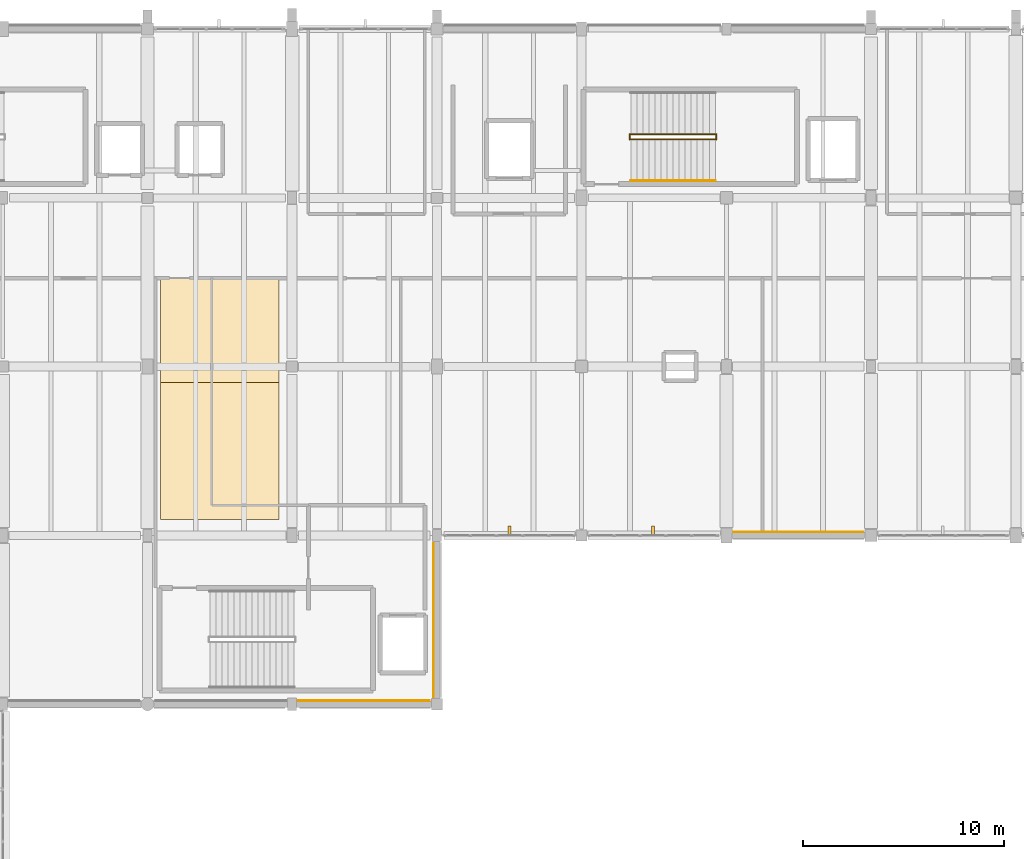
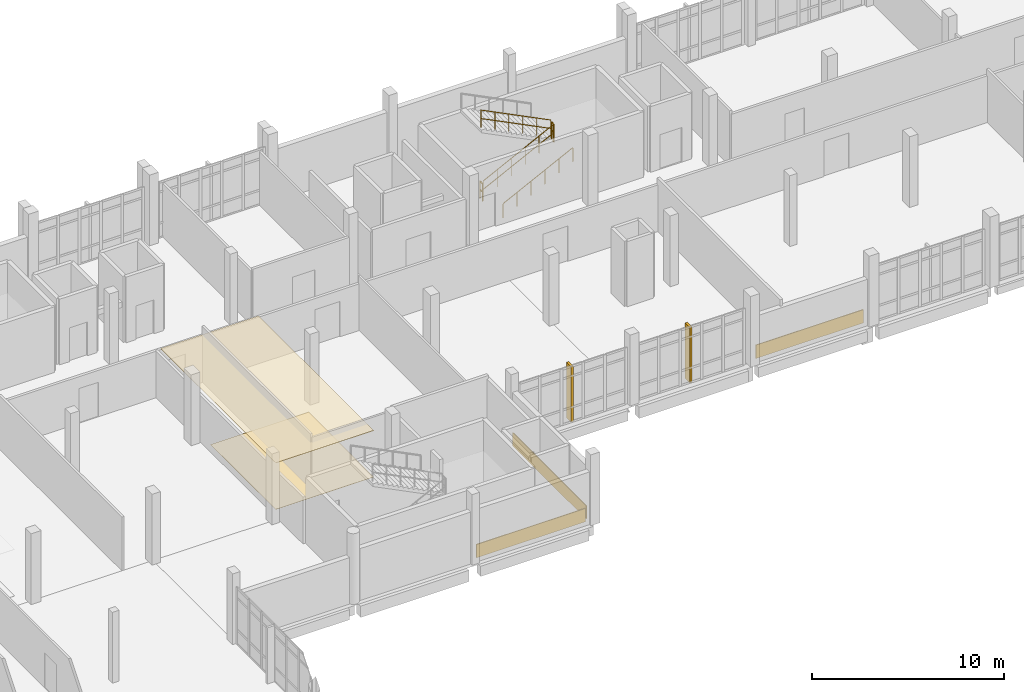
# One storey, part 60 of 62: 5 coverings, 5 railings, 2 shading devices.
"""IFC4 building model written with IfcOpenShell, lengths in metres."""

from ifc_helpers import new_model, si_unit, direction, frame, origin, origin_2d, place, context, subcontext, project, spatial, polyline, rectangle, circle, outline, extrude, material, layer, layer_set, type_object, element, save


model = new_model("IFC4")

# Units and contexts
model_context = context("Model", 3, precision=1e-05, world=origin(), true_north=direction((0.0, 1.0)))
body_context = subcontext(model_context, "Body", "Model", "MODEL_VIEW")
ifc_project = project(units=[si_unit("LENGTHUNIT", "METRE"), si_unit("AREAUNIT", "SQUARE_METRE"), si_unit("VOLUMEUNIT", "CUBIC_METRE"), si_unit("PLANEANGLEUNIT", "RADIAN"), si_unit("MASSUNIT", "GRAM", prefix="KILO")], contexts=[model_context])

# Site, building, storey
site_placement = place(None, origin())
site = spatial("IfcSite", under=ifc_project, at=site_placement, CompositionType="ELEMENT")
building_placement = place(site_placement, origin())
building = spatial("IfcBuilding", under=site, at=building_placement, Name="Kalluvel Institute of Natural Sciences", CompositionType="ELEMENT")
storey_placement = place(building_placement, frame((0.0, 0.0, 27.89990234375)))
storey = spatial("IfcBuildingStorey", under=building, at=storey_placement, Name="L06", CompositionType="ELEMENT", Elevation=27.89990234375)

# Coverings
ifc_material_1 = material(Name="Perforated Mineral-Fibre Acoustic Tile", Category="gypsum")
ifc_layer_1 = layer(ifc_material_1, 0.02490234375)
ifc_layer_set_1 = layer_set([ifc_layer_1], Name="Perforated Mineral-Fibre Acoustic Tile")
covering_type_1 = type_object("IfcCoveringType", Name="COV-CEIL-600", PredefinedType="CEILING", material=ifc_layer_set_1)
covering_1_placement = place(storey_placement, frame((0.0, 0.0, 2.9501953125)))
element("IfcCovering", 1, at=covering_1_placement, inside=storey, type_object=covering_type_1, Name="L06 laboratory acoustic ceiling panel 14", PredefinedType="CEILING", context=body_context, shape_type="SweptSolid", body=[
    extrude(outline(polyline([(43.449951171875, 103.60009765625), (49.35009765625, 103.60009765625), (49.35009765625, 115.60009765625), (43.449951171875, 115.60009765625), (43.449951171875, 103.60009765625)])), origin(), (0.0, 0.0, 1.0), 0.02490234375),
])
ifc_material_2 = material(Name="Sadarahalli Grey Granite Ashlar Concrete M40", Category="masonry")
ifc_layer_2 = layer(ifc_material_2, 0.044921875)
ifc_layer_set_2 = layer_set([ifc_layer_2], Name="Sadarahalli Grey Granite Ashlar Concrete M40")
covering_type_2 = type_object("IfcCoveringType", Name="COV-CLAD-STONE", PredefinedType="CLADDING", material=ifc_layer_set_2)
covering_2_placement = place(storey_placement, frame((75.1875, 102.969970703125, 0.025146484375), z_axis=(0.0, 0.0, 1.0), x_axis=(1.0, 0.0, 0.0)))
element("IfcCovering", 2, at=covering_2_placement, inside=storey, type_object=covering_type_2, Name="L06 Sadarahalli granite plinth spandrel cladding 78", PredefinedType="CLADDING", context=body_context, shape_type="SweptSolid", body=[
    extrude(rectangle(XDim=6.465087890625, YDim=0.044921875, at=origin_2d()), origin(), (0.0, 0.0, 1.0), 0.85009765625),
])
covering_3_placement = place(storey_placement, frame((53.574951171875, 94.570068359375, 0.025146484375), z_axis=(0.0, 0.0, 1.0), x_axis=(1.0, 0.0, 0.0)))
element("IfcCovering", 3, at=covering_3_placement, inside=storey, type_object=covering_type_2, Name="L06 Sadarahalli granite plinth spandrel cladding 117", PredefinedType="CLADDING", context=body_context, shape_type="SweptSolid", body=[
    extrude(rectangle(XDim=6.5400390625, YDim=0.044921875, at=origin_2d()), origin(), (0.0, 0.0, 1.0), 0.85009765625),
])
covering_4_placement = place(storey_placement, frame((57.030029296875, 98.58740234375, 0.025146484375), z_axis=(0.0, 0.0, 1.0), x_axis=(0.0, 1.0, 0.0)))
element("IfcCovering", 4, at=covering_4_placement, inside=storey, type_object=covering_type_2, Name="L06 Sadarahalli granite plinth spandrel cladding 118", PredefinedType="CLADDING", context=body_context, shape_type="SweptSolid", body=[
    extrude(rectangle(XDim=7.6650390625, YDim=0.044921875, at=origin_2d()), origin(), (0.0, 0.0, 1.0), 0.85009765625),
])
ifc_material_3 = material(Name="Seamless Chemical-Resistant Epoxy Flooring", Category="resin")
ifc_layer_3 = layer(ifc_material_3, 0.014892578125)
ifc_layer_set_3 = layer_set([ifc_layer_3], Name="Seamless Chemical-Resistant Epoxy Flooring")
covering_type_3 = type_object("IfcCoveringType", Name="COV-FLR-EPOXY", PredefinedType="FLOORING", material=ifc_layer_set_3)
covering_5_placement = place(storey_placement, origin())
element("IfcCovering", 5, at=covering_5_placement, inside=storey, type_object=covering_type_3, Name="L06 seamless epoxy laboratory floor finish 14", PredefinedType="FLOORING", context=body_context, shape_type="SweptSolid", body=[
    extrude(outline(polyline([(43.449951171875, 103.60009765625), (49.35009765625, 103.60009765625), (49.35009765625, 110.39990234375), (43.449951171875, 110.39990234375), (43.449951171875, 103.60009765625)])), origin(), (0.0, 0.0, 1.0), 0.01513671875),
])

# Railings
ifc_material_4 = material(Name="Galvanized Fire-Rated Steel", Category="steel")
railing_type_1 = type_object("IfcRailingType", Name="RL-GD-STAIR", PredefinedType="BALUSTRADE", material=ifc_material_4)
railing_1_placement = place(storey_placement, frame((66.85009765625, 122.510009765625, 0.150146484375)))
element("IfcRailing", 6, at=railing_1_placement, inside=storey, type_object=railing_type_1, Name="L06 ST2 stair guard 1", PredefinedType="BALUSTRADE", context=body_context, shape_type="SweptSolid", body=[
    extrude(circle(Radius=0.02392578125, at=origin_2d()), frame((0.0, 0.0, 1.09619140625), z_axis=(0.894437589381, 0.0, 0.447192798132), x_axis=(0.0, 1.0, 0.0)), (0.0, 0.0, 1.0), 4.695556640625),
    extrude(circle(Radius=0.02392578125, at=origin_2d()), frame((0.0, 0.0, 0.56005859375), z_axis=(0.894437589381, 0.0, 0.447192798132), x_axis=(0.0, 1.0, 0.0)), (0.0, 0.0, 1.0), 4.695556640625),
    extrude(circle(Radius=0.02099609375, at=origin_2d()), origin(), (0.0, 0.0, 1.0), 1.072021484375),
    extrude(circle(Radius=0.02099609375, at=origin_2d()), frame((0.840087890625, 0.0, 0.419921875)), (0.0, 0.0, 1.0), 1.072021484375),
    extrude(circle(Radius=0.02099609375, at=origin_2d()), frame((1.679931640625, 0.0, 0.83984375)), (0.0, 0.0, 1.0), 1.072021484375),
    extrude(circle(Radius=0.02099609375, at=origin_2d()), frame((2.52001953125, 0.0, 1.260009765625)), (0.0, 0.0, 1.0), 1.072021484375),
    extrude(circle(Radius=0.02099609375, at=origin_2d()), frame((3.35986328125, 0.0, 1.679931640625)), (0.0, 0.0, 1.0), 1.072021484375),
    extrude(circle(Radius=0.02099609375, at=origin_2d()), frame((4.199951171875, 0.0, 2.099853515625)), (0.0, 0.0, 1.0), 1.072021484375),
])
railing_2_placement = place(storey_placement, frame((71.10009765625, 122.4951171875, 2.25)))
element("IfcRailing", 7, at=railing_2_placement, inside=storey, type_object=railing_type_1, Name="L06 ST2 stair guard 2", PredefinedType="BALUSTRADE", context=body_context, shape_type="SweptSolid", body=[
    extrude(circle(Radius=0.02392578125, at=origin_2d()), frame((0.0, 0.0, 1.09619140625), z_axis=(0.0, 1.0, 0.0), x_axis=(-1.0, 0.0, 0.0)), (0.0, 0.0, 1.0), 0.27978515625),
    extrude(circle(Radius=0.02392578125, at=origin_2d()), frame((0.0, 0.0, 0.56005859375), z_axis=(0.0, 1.0, 0.0), x_axis=(-1.0, 0.0, 0.0)), (0.0, 0.0, 1.0), 0.27978515625),
    extrude(circle(Radius=0.02099609375, at=origin_2d()), origin(), (0.0, 0.0, 1.0), 1.072021484375),
    extrude(circle(Radius=0.02099609375, at=origin_2d()), frame((0.0, 0.27978515625, 0.0)), (0.0, 0.0, 1.0), 1.072021484375),
])
railing_3_placement = place(storey_placement, frame((71.050048828125, 122.760009765625, 2.400146484375)))
element("IfcRailing", 8, at=railing_3_placement, inside=storey, type_object=railing_type_1, Name="L06 ST2 stair guard 3", PredefinedType="BALUSTRADE", context=body_context, shape_type="SweptSolid", body=[
    extrude(circle(Radius=0.02392578125, at=origin_2d()), frame((0.0, 0.0, 1.09619140625), z_axis=(-0.894437589381, 0.0, 0.447192798132), x_axis=(0.0, -1.0, 0.0)), (0.0, 0.0, 1.0), 4.695556640625),
    extrude(circle(Radius=0.02392578125, at=origin_2d()), frame((0.0, 0.0, 0.56005859375), z_axis=(-0.894437589381, 0.0, 0.447192798132), x_axis=(0.0, -1.0, 0.0)), (0.0, 0.0, 1.0), 4.695556640625),
    extrude(circle(Radius=0.02099609375, at=origin_2d()), origin(), (0.0, 0.0, 1.0), 1.072021484375),
    extrude(circle(Radius=0.02099609375, at=origin_2d()), frame((-0.840087890625, 0.0, 0.419921875)), (0.0, 0.0, 1.0), 1.072021484375),
    extrude(circle(Radius=0.02099609375, at=origin_2d()), frame((-1.679931640625, 0.0, 0.83984375)), (0.0, 0.0, 1.0), 1.072021484375),
    extrude(circle(Radius=0.02099609375, at=origin_2d()), frame((-2.52001953125, 0.0, 1.260009765625)), (0.0, 0.0, 1.0), 1.072021484375),
    extrude(circle(Radius=0.02099609375, at=origin_2d()), frame((-3.35986328125, 0.0, 1.679931640625)), (0.0, 0.0, 1.0), 1.072021484375),
    extrude(circle(Radius=0.02099609375, at=origin_2d()), frame((-4.199951171875, 0.0, 2.099853515625)), (0.0, 0.0, 1.0), 1.072021484375),
])
railing_4_placement = place(storey_placement, frame((66.800048828125, 122.4951171875, 0.0)))
element("IfcRailing", 9, at=railing_4_placement, inside=storey, type_object=railing_type_1, Name="L06 ST2 stair guard 4", PredefinedType="BALUSTRADE", context=body_context, shape_type="SweptSolid", body=[
    extrude(circle(Radius=0.02392578125, at=origin_2d()), frame((0.0, 0.0, 1.09619140625), z_axis=(0.0, 1.0, 0.0), x_axis=(-1.0, 0.0, 0.0)), (0.0, 0.0, 1.0), 0.27978515625),
    extrude(circle(Radius=0.02392578125, at=origin_2d()), frame((0.0, 0.0, 0.56005859375), z_axis=(0.0, 1.0, 0.0), x_axis=(-1.0, 0.0, 0.0)), (0.0, 0.0, 1.0), 0.27978515625),
    extrude(circle(Radius=0.02099609375, at=origin_2d()), origin(), (0.0, 0.0, 1.0), 1.072021484375),
    extrude(circle(Radius=0.02099609375, at=origin_2d()), frame((0.0, 0.27978515625, 0.0)), (0.0, 0.0, 1.0), 1.072021484375),
])
railing_type_2 = type_object("IfcRailingType", Name="RL-HR-STAIR", PredefinedType="HANDRAIL", material=ifc_material_4)
railing_5_placement = place(storey_placement, frame((66.85009765625, 120.449951171875, 0.150146484375)))
element("IfcRailing", 10, at=railing_5_placement, inside=storey, type_object=railing_type_2, Name="L06 ST2 stair handrail 1", PredefinedType="HANDRAIL", context=body_context, shape_type="SweptSolid", body=[
    extrude(circle(Radius=0.02392578125, at=origin_2d()), frame((0.0, 0.0, 0.89599609375), z_axis=(0.894437589381, 0.0, 0.447192798132), x_axis=(0.0, 1.0, 0.0)), (0.0, 0.0, 1.0), 4.695556640625),
    extrude(circle(Radius=0.02099609375, at=origin_2d()), origin(), (0.0, 0.0, 1.0), 0.871826171875),
    extrude(circle(Radius=0.02099609375, at=origin_2d()), frame((0.840087890625, 0.0, 0.419921875)), (0.0, 0.0, 1.0), 0.871826171875),
    extrude(circle(Radius=0.02099609375, at=origin_2d()), frame((1.679931640625, 0.0, 0.83984375)), (0.0, 0.0, 1.0), 0.871826171875),
    extrude(circle(Radius=0.02099609375, at=origin_2d()), frame((2.52001953125, 0.0, 1.260009765625)), (0.0, 0.0, 1.0), 0.871826171875),
    extrude(circle(Radius=0.02099609375, at=origin_2d()), frame((3.35986328125, 0.0, 1.679931640625)), (0.0, 0.0, 1.0), 0.871826171875),
    extrude(circle(Radius=0.02099609375, at=origin_2d()), frame((4.199951171875, 0.0, 2.099853515625)), (0.0, 0.0, 1.0), 0.871826171875),
])

# Shading devices
shading_device_type = type_object("IfcShadingDeviceType", Name="SHD-FIN-STONE", PredefinedType="USERDEFINED", material=ifc_material_2)
for number, where, z_axis, x_axis, name in (
    (11, (60.8125, 103.02001953125, 0.0), (0.0, 0.0, 1.0), (1.0, 0.0, 0.0), "L06 monsoon lancet shading fin 83"),
    (12, (67.949951171875, 103.02001953125, 0.0), (0.0, 0.0, 1.0), (1.0, 0.0, 0.0), "L06 monsoon lancet shading fin 84"),
):
    element("IfcShadingDevice", number, at=place(storey_placement, frame(where, z_axis=z_axis, x_axis=x_axis)), inside=storey, type_object=shading_device_type, Name=name, ObjectType="MONSOON FIN", PredefinedType="USERDEFINED", context=body_context, shape_type="SweptSolid", body=[
        extrude(rectangle(XDim=0.139892578125, YDim=0.47998046875, at=origin_2d()), origin(), (0.0, 0.0, 1.0), 3.530029296875),
    ])

save(model, "model.ifc")
